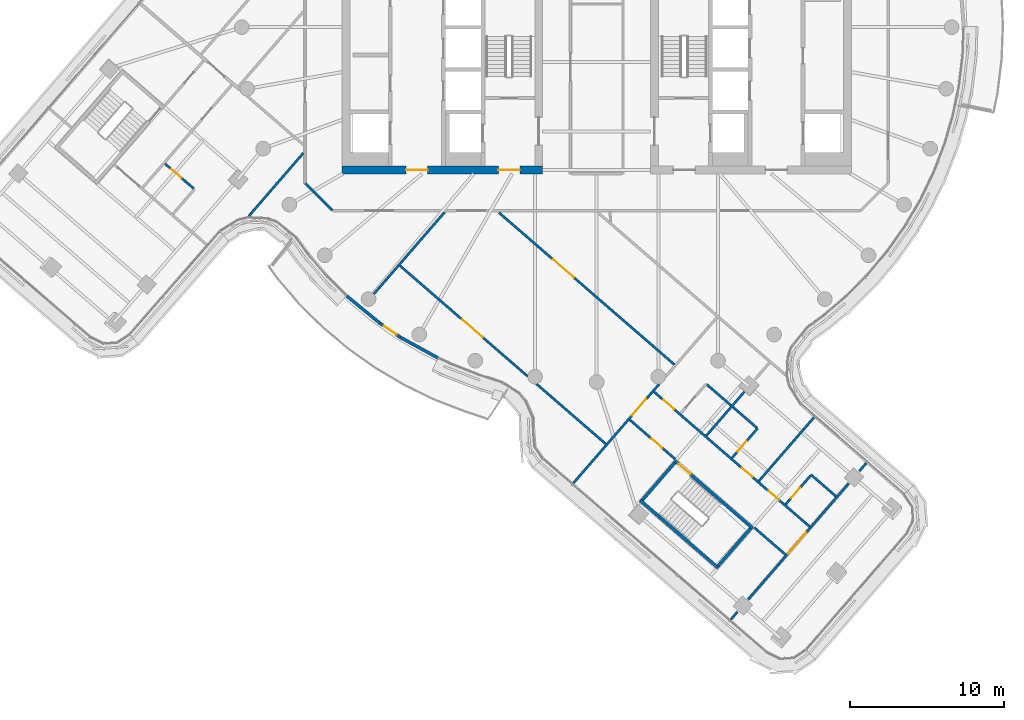
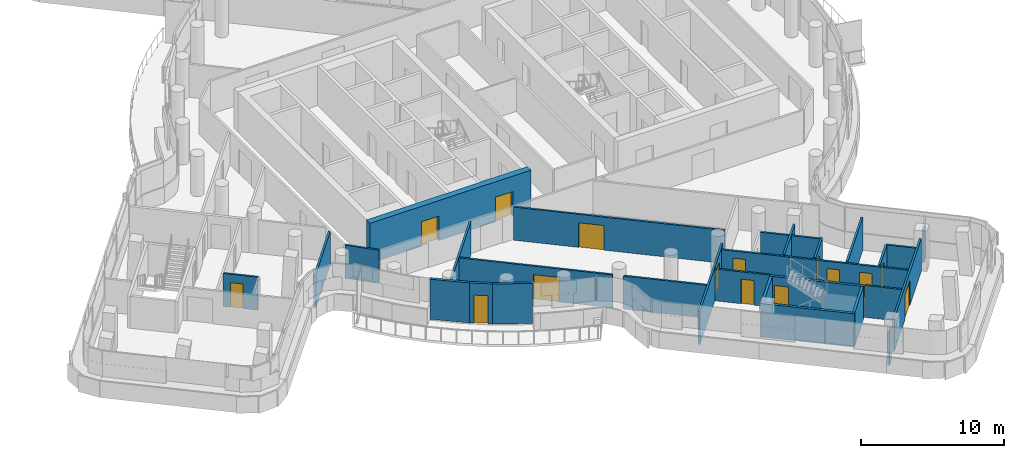
# One storey, part 19 of 32: 28 walls, 15 doors, 15 openings.
"""IFC4 building model written with IfcOpenShell, lengths in metres."""

from ifc_helpers import new_model, si_unit, direction, frame, frame_2d, origin, place, context, subcontext, project, spatial, polyline, rectangle, outline, extrude, material, layer, layer_set, type_object, element, fill, save


model = new_model("IFC4")

# Units and contexts
model_context = context("Model", 3, precision=1e-05, world=origin(), true_north=direction((0.0, 1.0)))
body_context = subcontext(model_context, "Body", "Model", "MODEL_VIEW")
ifc_project = project(units=[si_unit("LENGTHUNIT", "METRE"), si_unit("AREAUNIT", "SQUARE_METRE"), si_unit("VOLUMEUNIT", "CUBIC_METRE"), si_unit("PLANEANGLEUNIT", "RADIAN"), si_unit("MASSUNIT", "GRAM", prefix="KILO")], contexts=[model_context])

# Site, building, storey
site_placement = place(None, origin())
site = spatial("IfcSite", under=ifc_project, at=site_placement, CompositionType="ELEMENT")
building_placement = place(site_placement, origin())
building = spatial("IfcBuilding", under=site, at=building_placement, Name="Tamarind Cross Interchange Tower", CompositionType="ELEMENT")
storey_placement = place(building_placement, frame((0.0, 0.0, 211.300048828125)))
storey = spatial("IfcBuildingStorey", under=building, at=storey_placement, Name="L53", CompositionType="ELEMENT", Elevation=211.300048828125)

# Walls
ifc_material_1 = material(Name="Concrete C40", Category="concrete")
ifc_layer_1 = layer(ifc_material_1, 0.199951171875)
ifc_layer_set_1 = layer_set([ifc_layer_1], Name="Concrete C40")
wall_type_1 = type_object("IfcWallType", Name="Balcony and garden door wall", PredefinedType="SOLIDWALL", material=ifc_layer_set_1)
wall_1_placement = place(storey_placement, frame((-16.210693359375, -17.407958984375, 0.0), z_axis=(0.0, 0.0, 1.0), x_axis=(0.772584195676, -0.634912325122, 0.0)))
element("IfcWall", 1, at=wall_1_placement, inside=storey, type_object=wall_type_1, Name="EXW-L53-02-D02L", PredefinedType="SOLIDWALL", context=body_context, shape_type="SweptSolid", body=[
    extrude(rectangle(XDim=2.800048828125, YDim=0.199951171875, at=frame_2d((1.39990234375, 0.0))), origin(), (0.0, 0.0, 1.0), 3.419921875),
])
wall_2_placement = place(storey_placement, frame((-12.73095703125, -20.09375, 0.0), z_axis=(0.0, 0.0, 1.0), x_axis=(0.87680055268, -0.480854230323, 0.0)))
element("IfcWall", 2, at=wall_2_placement, inside=storey, type_object=wall_type_1, Name="EXW-L53-02-D02R", PredefinedType="SOLIDWALL", context=body_context, shape_type="SweptSolid", body=[
    extrude(rectangle(XDim=2.800537109375, YDim=0.199951171875, at=frame_2d((1.400390625, 0.0))), origin(), (0.0, 0.0, 1.0), 3.419921875),
])

# Wall, opening, door
wall_3_placement = place(storey_placement, frame((-14.04736328125, -19.185791015625, 0.0), z_axis=(0.0, 0.0, 1.0), x_axis=(0.823185720552, -0.567772198578, 0.0)))
wall_3 = element("IfcWall", 3, at=wall_3_placement, inside=storey, type_object=wall_type_1, Name="EXW-L53-02-D02", PredefinedType="SOLIDWALL", context=body_context, shape_type="SweptSolid", body=[
    extrude(rectangle(XDim=1.59912109375, YDim=0.199951171875, at=frame_2d((0.799560546875, 0.0))), origin(), (0.0, 0.0, 1.0), 3.419921875),
])
opening_1_placement = place(wall_3_placement, frame((0.299560546875, 0.0, 0.0)))
opening_1 = element("IfcOpeningElement", 4, at=opening_1_placement, cuts=wall_3, Name="Opening D2", PredefinedType="OPENING", context=body_context, shape_type="SweptSolid", body=[
    extrude(rectangle(XDim=1.0, YDim=2.39990234375, at=frame_2d((0.5, 1.199951171875))), frame((0.0, 0.10986328125, 0.0), z_axis=(0.0, -1.0, 0.0), x_axis=(1.0, 0.0, 0.0)), (0.0, 0.0, 1.0), 0.219970703125),
])
ifc_material_2 = material(Name="Aluminium and toughened glass", Category="aluminium")
door_type_1 = type_object("IfcDoorType", Name="Balcony and garden door", OperationType="SINGLE_SWING_LEFT", PredefinedType="DOOR", material=ifc_material_2)
door_1_placement = place(opening_1_placement, origin())
door_1 = element("IfcDoor", 5, at=door_1_placement, inside=storey, type_object=door_type_1, Name="DOR-L53-02-02", OperationType="SINGLE_SWING_LEFT", OverallHeight=2.39990234375, OverallWidth=1.0, PredefinedType="DOOR", context=body_context, shape_type="SweptSolid", body=[
    extrude(rectangle(XDim=1.0, YDim=2.39990234375, at=frame_2d((0.5, 1.199951171875))), frame((0.0, 0.02490234375, 0.0), z_axis=(0.0, -1.0, 0.0), x_axis=(1.0, 0.0, 0.0)), (0.0, 0.0, 1.0), 0.050048828125),
])
fill(opening_1, door_1)

# Wall, openings, doors
ifc_material_3 = material(Name="Concrete C55", Category="concrete")
ifc_layer_2 = layer(ifc_material_3, 0.5)
ifc_layer_set_2 = layer_set([ifc_layer_2], Name="Concrete C55")
wall_type_2 = type_object("IfcWallType", Name="Core wall 500 mm Concrete C55", PredefinedType="SHEAR", material=ifc_layer_set_2)
wall_4_placement = place(storey_placement, frame((-16.5, -9.25, 0.0), z_axis=(0.0, 0.0, 1.0), x_axis=(1.0, 0.0, 0.0)))
wall_4 = element("IfcWall", 6, at=wall_4_placement, inside=storey, type_object=wall_type_2, Name="Core wall CWL-L53-W-S", PredefinedType="SHEAR", context=body_context, shape_type="SweptSolid", body=[
    extrude(rectangle(XDim=13.0, YDim=0.5, at=frame_2d((6.5, 0.0))), origin(), (0.0, 0.0, 1.0), 3.419921875),
])
opening_2_placement = place(wall_4_placement, frame((4.14990234375, 0.0, 0.0)))
opening_2 = element("IfcOpeningElement", 7, at=opening_2_placement, cuts=wall_4, Name="Opening DCW1", PredefinedType="OPENING", context=body_context, shape_type="SweptSolid", body=[
    extrude(rectangle(XDim=1.39990234375, YDim=2.10009765625, at=frame_2d((0.699951171875, 1.050048828125))), frame((0.0, 0.260009765625, 0.0), z_axis=(0.0, -1.0, 0.0), x_axis=(1.0, 0.0, 0.0)), (0.0, 0.0, 1.0), 0.52001953125),
])
opening_3_placement = place(wall_4_placement, frame((10.125, 0.0, 0.0)))
opening_3 = element("IfcOpeningElement", 8, at=opening_3_placement, cuts=wall_4, Name="Opening DCWF", PredefinedType="OPENING", context=body_context, shape_type="SweptSolid", body=[
    extrude(rectangle(XDim=1.39990234375, YDim=2.10009765625, at=frame_2d((0.699951171875, 1.050048828125))), frame((0.0, 0.260009765625, 0.0), z_axis=(0.0, -1.0, 0.0), x_axis=(1.0, 0.0, 0.0)), (0.0, 0.0, 1.0), 0.52001953125),
])
ifc_material_4 = material(Name="Steel, fire-resisting", Category="steel")
door_type_2 = type_object("IfcDoorType", Name="Core fire door 1400 x 2100 FD90", OperationType="SINGLE_SWING_LEFT", PredefinedType="DOOR", material=ifc_material_4)
door_2_placement = place(opening_2_placement, origin())
door_2 = element("IfcDoor", 9, at=door_2_placement, inside=storey, type_object=door_type_2, Name="L53 lift lobby door", OperationType="SINGLE_SWING_LEFT", OverallHeight=2.10009765625, OverallWidth=1.39990234375, PredefinedType="DOOR", context=body_context, shape_type="SweptSolid", body=[
    extrude(rectangle(XDim=1.39990234375, YDim=2.10009765625, at=frame_2d((0.699951171875, 1.050048828125))), frame((0.0, 0.02490234375, 0.0), z_axis=(0.0, -1.0, 0.0), x_axis=(1.0, 0.0, 0.0)), (0.0, 0.0, 1.0), 0.050048828125),
])
fill(opening_2, door_2)
door_3_placement = place(opening_3_placement, origin())
door_3 = element("IfcDoor", 10, at=door_3_placement, inside=storey, type_object=door_type_2, Name="L53 firefighting lobby end door", OperationType="SINGLE_SWING_LEFT", OverallHeight=2.10009765625, OverallWidth=1.39990234375, PredefinedType="DOOR", context=body_context, shape_type="SweptSolid", body=[
    extrude(rectangle(XDim=1.39990234375, YDim=2.10009765625, at=frame_2d((0.699951171875, 1.050048828125))), frame((0.0, 0.02490234375, 0.0), z_axis=(0.0, -1.0, 0.0), x_axis=(1.0, 0.0, 0.0)), (0.0, 0.0, 1.0), 0.050048828125),
])
fill(opening_3, door_3)

# Wall
ifc_material_5 = material(Name="Gypsum board partition on steel studs", Category="steel")
ifc_layer_3 = layer(ifc_material_5, 0.14990234375)
ifc_layer_set_3 = layer_set([ifc_layer_3], Name="Gypsum board partition on steel studs")
wall_type_3 = type_object("IfcWallType", Name="Partition 150 mm EI 120", PredefinedType="PARTITIONING", material=ifc_layer_set_3)
wall_5_placement = place(storey_placement, frame((-18.87158203125, -10.12841796875, 0.0), z_axis=(0.0, 0.0, 1.0), x_axis=(0.707106781187, -0.707106781187, 0.0)))
element("IfcWall", 11, at=wall_5_placement, inside=storey, type_object=wall_type_3, Name="Partition L53-002", PredefinedType="PARTITIONING", context=body_context, shape_type="SweptSolid", body=[
    extrude(rectangle(XDim=2.465087890625, YDim=0.14990234375, at=frame_2d((1.232421875, 0.0))), origin(), (0.0, 0.0, 1.0), 2.823974609375),
])

# Wall, opening, door
wall_6_placement = place(storey_placement, frame((-27.971435546875, -8.850341796875, 0.0), z_axis=(0.0, 0.0, 1.0), x_axis=(0.755854736328, -0.654739350864, 0.0)))
wall_6 = element("IfcWall", 12, at=wall_6_placement, inside=storey, type_object=wall_type_3, Name="Partition L53-008", PredefinedType="PARTITIONING", context=body_context, shape_type="SweptSolid", body=[
    extrude(rectangle(XDim=2.479736328125, YDim=0.14990234375, at=frame_2d((1.23974609375, 0.0))), origin(), (0.0, 0.0, 1.0), 2.820068359375),
])
opening_4_placement = place(wall_6_placement, frame((0.52001953125, 0.0, 0.0)))
opening_4 = element("IfcOpeningElement", 13, at=opening_4_placement, cuts=wall_6, Name="Opening D03", PredefinedType="OPENING", context=body_context, shape_type="SweptSolid", body=[
    extrude(rectangle(XDim=0.89990234375, YDim=2.10009765625, at=frame_2d((0.449951171875, 1.050048828125))), frame((0.0, 0.0849609375, 0.0), z_axis=(0.0, -1.0, 0.0), x_axis=(1.0, 0.0, 0.0)), (0.0, 0.0, 1.0), 0.169921875),
])
ifc_material_6 = material(Name="Fire-resisting door set")
door_type_3 = type_object("IfcDoorType", Name="Interior door 900 x 2100 FD60S", OperationType="SINGLE_SWING_LEFT", PredefinedType="DOOR", material=ifc_material_6)
door_4_placement = place(opening_4_placement, frame((0.89990234375, 0.0, 0.0), z_axis=(0.0, 0.0, 1.0), x_axis=(-1.0, 0.0, 0.0)))
door_4 = element("IfcDoor", 14, at=door_4_placement, inside=storey, type_object=door_type_3, Name="Door D03", OperationType="SINGLE_SWING_LEFT", OverallHeight=2.10009765625, OverallWidth=0.89990234375, PredefinedType="DOOR", context=body_context, shape_type="SweptSolid", body=[
    extrude(rectangle(XDim=0.89990234375, YDim=2.10009765625, at=frame_2d((0.449951171875, 1.050048828125))), frame((0.0, 0.02490234375, 0.0), z_axis=(0.0, -1.0, 0.0), x_axis=(1.0, 0.0, 0.0)), (0.0, 0.0, 1.0), 0.050048828125),
])
fill(opening_4, door_4)

wall_7_placement = place(storey_placement, frame((-12.74853515625, -15.45751953125, 0.0), z_axis=(0.0, 0.0, 1.0), x_axis=(0.755941384567, -0.654639307634, 0.0)))
wall_7 = element("IfcWall", 15, at=wall_7_placement, inside=storey, type_object=wall_type_3, Name="Partition L53-010", PredefinedType="PARTITIONING", context=body_context, shape_type="SweptSolid", body=[
    extrude(rectangle(XDim=10.94873046875, YDim=0.14990234375, at=frame_2d((5.474365234375, 0.0))), origin(), (0.0, 0.0, 1.0), 2.823974609375),
])
opening_5_placement = place(wall_7_placement, frame((5.320068359375, 0.0, 0.0)))
opening_5 = element("IfcOpeningElement", 16, at=opening_5_placement, cuts=wall_7, Name="Opening D04", PredefinedType="OPENING", context=body_context, shape_type="SweptSolid", body=[
    extrude(rectangle(XDim=1.800048828125, YDim=2.10009765625, at=frame_2d((0.89990234375, 1.050048828125))), frame((0.0, 0.0849609375, 0.0), z_axis=(0.0, -1.0, 0.0), x_axis=(1.0, 0.0, 0.0)), (0.0, 0.0, 1.0), 0.169921875),
])
door_type_4 = type_object("IfcDoorType", Name="Interior door 1800 x 2100 FD60S", OperationType="DOUBLE_DOOR_SINGLE_SWING", PredefinedType="DOOR", material=ifc_material_6)
door_5_placement = place(opening_5_placement, frame((1.800048828125, 0.0, 0.0), z_axis=(0.0, 0.0, 1.0), x_axis=(-1.0, 0.0, 0.0)))
door_5 = element("IfcDoor", 17, at=door_5_placement, inside=storey, type_object=door_type_4, Name="Door D04", OperationType="DOUBLE_DOOR_SINGLE_SWING", OverallHeight=2.10009765625, OverallWidth=1.800048828125, PredefinedType="DOOR", context=body_context, shape_type="SweptSolid", body=[
    extrude(rectangle(XDim=1.800048828125, YDim=2.10009765625, at=frame_2d((0.89990234375, 1.050048828125))), frame((0.0, 0.02490234375, 0.0), z_axis=(0.0, -1.0, 0.0), x_axis=(1.0, 0.0, 0.0)), (0.0, 0.0, 1.0), 0.050048828125),
])
fill(opening_5, door_5)

# Wall
wall_8_placement = place(storey_placement, frame((-3.90869140625, -23.11279296875, 0.0), z_axis=(0.0, 0.0, 1.0), x_axis=(0.755934223214, -0.654647577078, 0.0)))
element("IfcWall", 18, at=wall_8_placement, inside=storey, type_object=wall_type_3, Name="Partition L53-011", PredefinedType="PARTITIONING", context=body_context, shape_type="SweptSolid", body=[
    extrude(rectangle(XDim=5.946533203125, YDim=0.14990234375, at=frame_2d((2.97314453125, 0.0))), origin(), (0.0, 0.0, 1.0), 2.823974609375),
])

# Wall, opening, door
wall_9_placement = place(storey_placement, frame((-6.336669921875, -12.0146484375, 0.0), z_axis=(0.0, 0.0, 1.0), x_axis=(0.755914954944, -0.654669825861, 0.0)))
wall_9 = element("IfcWall", 19, at=wall_9_placement, inside=storey, type_object=wall_type_3, Name="Partition L53-017", PredefinedType="PARTITIONING", context=body_context, shape_type="SweptSolid", body=[
    extrude(rectangle(XDim=15.047119140625, YDim=0.14990234375, at=frame_2d((7.5234375, 0.0))), origin(), (0.0, 0.0, 1.0), 2.823974609375),
])
opening_6_placement = place(wall_9_placement, frame((4.625, 0.0, 0.0)))
opening_6 = element("IfcOpeningElement", 20, at=opening_6_placement, cuts=wall_9, Name="Opening D09", PredefinedType="OPENING", context=body_context, shape_type="SweptSolid", body=[
    extrude(rectangle(XDim=1.800048828125, YDim=2.10009765625, at=frame_2d((0.89990234375, 1.050048828125))), frame((0.0, 0.0849609375, 0.0), z_axis=(0.0, -1.0, 0.0), x_axis=(1.0, 0.0, 0.0)), (0.0, 0.0, 1.0), 0.169921875),
])
door_6_placement = place(opening_6_placement, origin())
door_6 = element("IfcDoor", 21, at=door_6_placement, inside=storey, type_object=door_type_4, Name="Door D09", OperationType="DOUBLE_DOOR_SINGLE_SWING", OverallHeight=2.10009765625, OverallWidth=1.800048828125, PredefinedType="DOOR", context=body_context, shape_type="SweptSolid", body=[
    extrude(rectangle(XDim=1.800048828125, YDim=2.10009765625, at=frame_2d((0.89990234375, 1.050048828125))), frame((0.0, 0.02490234375, 0.0), z_axis=(0.0, -1.0, 0.0), x_axis=(1.0, 0.0, 0.0)), (0.0, 0.0, 1.0), 0.050048828125),
])
fill(opening_6, door_6)

wall_10_placement = place(storey_placement, frame((2.1474609375, -25.447509765625, 0.0), z_axis=(0.0, 0.0, 1.0), x_axis=(0.756054321619, -0.654508871415, 0.0)))
wall_10 = element("IfcWall", 22, at=wall_10_placement, inside=storey, type_object=wall_type_3, Name="Partition L53-023", PredefinedType="PARTITIONING", context=body_context, shape_type="SweptSolid", body=[
    extrude(rectangle(XDim=3.88037109375, YDim=0.14990234375, at=frame_2d((1.940185546875, 0.0))), origin(), (0.0, 0.0, 1.0), 2.719970703125),
])
opening_7_placement = place(wall_10_placement, frame((1.8701171875, 0.0, 0.0)))
opening_7 = element("IfcOpeningElement", 23, at=opening_7_placement, cuts=wall_10, Name="Opening D15", PredefinedType="OPENING", context=body_context, shape_type="SweptSolid", body=[
    extrude(rectangle(XDim=0.89990234375, YDim=2.10009765625, at=frame_2d((0.449951171875, 1.050048828125))), frame((0.0, 0.0849609375, 0.0), z_axis=(0.0, -1.0, 0.0), x_axis=(1.0, 0.0, 0.0)), (0.0, 0.0, 1.0), 0.169921875),
])
door_7_placement = place(opening_7_placement, frame((0.89990234375, 0.0, 0.0), z_axis=(0.0, 0.0, 1.0), x_axis=(-1.0, 0.0, 0.0)))
door_7 = element("IfcDoor", 24, at=door_7_placement, inside=storey, type_object=door_type_3, Name="Door D15", OperationType="SINGLE_SWING_RIGHT", OverallHeight=2.10009765625, OverallWidth=0.89990234375, PredefinedType="DOOR", context=body_context, shape_type="SweptSolid", body=[
    extrude(rectangle(XDim=0.89990234375, YDim=2.10009765625, at=frame_2d((0.449951171875, 1.050048828125))), frame((0.0, 0.02490234375, 0.0), z_axis=(0.0, -1.0, 0.0), x_axis=(1.0, 0.0, 0.0)), (0.0, 0.0, 1.0), 0.050048828125),
])
fill(opening_7, door_7)

# Wall
wall_11_placement = place(storey_placement, frame((10.206298828125, -32.4248046875, 0.0), z_axis=(0.0, 0.0, 1.0), x_axis=(0.756019580363, -0.65454900054, 0.0)))
element("IfcWall", 25, at=wall_11_placement, inside=storey, type_object=wall_type_3, Name="Partition L53-024", PredefinedType="PARTITIONING", context=body_context, shape_type="SweptSolid", body=[
    extrude(rectangle(XDim=2.680419921875, YDim=0.14990234375, at=frame_2d((1.34033203125, 0.0))), origin(), (0.0, 0.0, 1.0), 2.719970703125),
])

# Wall, openings, doors
wall_12_placement = place(storey_placement, frame((3.718505859375, -23.63330078125, 0.0), z_axis=(0.0, 0.0, 1.0), x_axis=(0.755913669582, -0.654671310001, 0.0)))
wall_12 = element("IfcWall", 26, at=wall_12_placement, inside=storey, type_object=wall_type_3, Name="Partition L53-025", PredefinedType="PARTITIONING", context=body_context, shape_type="SweptSolid", body=[
    extrude(rectangle(XDim=13.340087890625, YDim=0.14990234375, at=frame_2d((6.669921875, 0.0))), origin(), (0.0, 0.0, 1.0), 2.719970703125),
])
opening_8_placement = place(wall_12_placement, frame((0.820068359375, 0.0, 0.0)))
opening_8 = element("IfcOpeningElement", 27, at=opening_8_placement, cuts=wall_12, Name="Opening D16", PredefinedType="OPENING", context=body_context, shape_type="SweptSolid", body=[
    extrude(rectangle(XDim=0.89990234375, YDim=2.10009765625, at=frame_2d((0.449951171875, 1.050048828125))), frame((0.0, 0.0849609375, 0.0), z_axis=(0.0, -1.0, 0.0), x_axis=(1.0, 0.0, 0.0)), (0.0, 0.0, 1.0), 0.169921875),
])
opening_9_placement = place(wall_12_placement, frame((7.52001953125, 0.0, 0.0)))
opening_9 = element("IfcOpeningElement", 28, at=opening_9_placement, cuts=wall_12, Name="Opening D17", PredefinedType="OPENING", context=body_context, shape_type="SweptSolid", body=[
    extrude(rectangle(XDim=0.89990234375, YDim=2.10009765625, at=frame_2d((0.449951171875, 1.050048828125))), frame((0.0, 0.0849609375, 0.0), z_axis=(0.0, -1.0, 0.0), x_axis=(1.0, 0.0, 0.0)), (0.0, 0.0, 1.0), 0.169921875),
])
opening_10_placement = place(wall_12_placement, frame((9.81982421875, 0.0, 0.0)))
opening_10 = element("IfcOpeningElement", 29, at=opening_10_placement, cuts=wall_12, Name="Opening D18", PredefinedType="OPENING", context=body_context, shape_type="SweptSolid", body=[
    extrude(rectangle(XDim=0.89990234375, YDim=2.10009765625, at=frame_2d((0.449951171875, 1.050048828125))), frame((0.0, 0.0849609375, 0.0), z_axis=(0.0, -1.0, 0.0), x_axis=(1.0, 0.0, 0.0)), (0.0, 0.0, 1.0), 0.169921875),
])
door_8_placement = place(opening_8_placement, origin())
door_8 = element("IfcDoor", 30, at=door_8_placement, inside=storey, type_object=door_type_3, Name="Door D16", OperationType="SINGLE_SWING_RIGHT", OverallHeight=2.10009765625, OverallWidth=0.89990234375, PredefinedType="DOOR", context=body_context, shape_type="SweptSolid", body=[
    extrude(rectangle(XDim=0.89990234375, YDim=2.10009765625, at=frame_2d((0.449951171875, 1.050048828125))), frame((0.0, 0.02490234375, 0.0), z_axis=(0.0, -1.0, 0.0), x_axis=(1.0, 0.0, 0.0)), (0.0, 0.0, 1.0), 0.050048828125),
])
fill(opening_8, door_8)
door_9_placement = place(opening_9_placement, origin())
door_9 = element("IfcDoor", 31, at=door_9_placement, inside=storey, type_object=door_type_3, Name="Door D17", OperationType="SINGLE_SWING_LEFT", OverallHeight=2.10009765625, OverallWidth=0.89990234375, PredefinedType="DOOR", context=body_context, shape_type="SweptSolid", body=[
    extrude(rectangle(XDim=0.89990234375, YDim=2.10009765625, at=frame_2d((0.449951171875, 1.050048828125))), frame((0.0, 0.02490234375, 0.0), z_axis=(0.0, -1.0, 0.0), x_axis=(1.0, 0.0, 0.0)), (0.0, 0.0, 1.0), 0.050048828125),
])
fill(opening_9, door_9)
door_10_placement = place(opening_10_placement, origin())
door_10 = element("IfcDoor", 32, at=door_10_placement, inside=storey, type_object=door_type_3, Name="Door D18", OperationType="SINGLE_SWING_LEFT", OverallHeight=2.10009765625, OverallWidth=0.89990234375, PredefinedType="DOOR", context=body_context, shape_type="SweptSolid", body=[
    extrude(rectangle(XDim=0.89990234375, YDim=2.10009765625, at=frame_2d((0.449951171875, 1.050048828125))), frame((0.0, 0.02490234375, 0.0), z_axis=(0.0, -1.0, 0.0), x_axis=(1.0, 0.0, 0.0)), (0.0, 0.0, 1.0), 0.050048828125),
])
fill(opening_10, door_10)

# Walls
wall_13_placement = place(storey_placement, frame((7.129150390625, -23.147216796875, 0.0), z_axis=(0.0, 0.0, 1.0), x_axis=(0.756004108668, -0.654566870287, 0.0)))
element("IfcWall", 33, at=wall_13_placement, inside=storey, type_object=wall_type_3, Name="Partition L53-026", PredefinedType="PARTITIONING", context=body_context, shape_type="SweptSolid", body=[
    extrude(rectangle(XDim=4.3203125, YDim=0.14990234375, at=frame_2d((2.16015625, 0.0))), origin(), (0.0, 0.0, 1.0), 2.719970703125),
])
wall_14_placement = place(storey_placement, frame((13.902587890625, -29.01220703125, 0.0), z_axis=(0.0, 0.0, 1.0), x_axis=(0.755962613877, -0.654614792394, 0.0)))
element("IfcWall", 34, at=wall_14_placement, inside=storey, type_object=wall_type_3, Name="Partition L53-027", PredefinedType="PARTITIONING", context=body_context, shape_type="SweptSolid", body=[
    extrude(rectangle(XDim=2.119873046875, YDim=0.14990234375, at=frame_2d((1.06005859375, 0.0))), origin(), (0.0, 0.0, 1.0), 2.823974609375),
])
wall_15_placement = place(storey_placement, frame((-22.54736328125, -12.2412109375, 0.0), z_axis=(0.0, 0.0, 1.0), x_axis=(0.654687631303, 0.755899533945, 0.0)))
element("IfcWall", 35, at=wall_15_placement, inside=storey, type_object=wall_type_3, Name="Partition L53-041", PredefinedType="PARTITIONING", context=body_context, shape_type="SweptSolid", body=[
    extrude(rectangle(XDim=5.39599609375, YDim=0.14990234375, at=frame_2d((2.697998046875, 0.0))), origin(), (0.0, 0.0, 1.0), 2.823974609375),
])
wall_16_placement = place(storey_placement, frame((-14.445556640625, -17.294921875, 0.0), z_axis=(0.0, 0.0, 1.0), x_axis=(0.654627623615, 0.755951502678, 0.0)))
element("IfcWall", 36, at=wall_16_placement, inside=storey, type_object=wall_type_3, Name="Partition L53-042", PredefinedType="PARTITIONING", context=body_context, shape_type="SweptSolid", body=[
    extrude(rectangle(XDim=6.997314453125, YDim=0.14990234375, at=frame_2d((3.49853515625, 0.0))), origin(), (0.0, 0.0, 1.0), 2.823974609375),
])

# Wall, opening, door
wall_17_placement = place(storey_placement, frame((-1.513427734375, -29.551513671875, 0.0), z_axis=(0.0, 0.0, 1.0), x_axis=(0.65472740131, 0.755865087151, 0.0)))
wall_17 = element("IfcWall", 37, at=wall_17_placement, inside=storey, type_object=wall_type_3, Name="Partition L53-054", PredefinedType="PARTITIONING", context=body_context, shape_type="SweptSolid", body=[
    extrude(rectangle(XDim=8.511474609375, YDim=0.14990234375, at=frame_2d((4.255859375, 0.0))), origin(), (0.0, 0.0, 1.0), 2.820068359375),
])
opening_11_placement = place(wall_17_placement, frame((5.799072265625, 0.0, 0.0)))
opening_11 = element("IfcOpeningElement", 38, at=opening_11_placement, cuts=wall_17, Name="Opening D33", PredefinedType="OPENING", context=body_context, shape_type="SweptSolid", body=[
    extrude(rectangle(XDim=1.39990234375, YDim=2.10009765625, at=frame_2d((0.699951171875, 1.050048828125))), frame((0.0, 0.0849609375, 0.0), z_axis=(0.0, -1.0, 0.0), x_axis=(1.0, 0.0, 0.0)), (0.0, 0.0, 1.0), 0.169921875),
])
door_type_5 = type_object("IfcDoorType", Name="Interior door 1400 x 2100 FD60S", OperationType="DOUBLE_DOOR_SINGLE_SWING", PredefinedType="DOOR", material=ifc_material_6)
door_11_placement = place(opening_11_placement, origin())
door_11 = element("IfcDoor", 39, at=door_11_placement, inside=storey, type_object=door_type_5, Name="Door D33", OperationType="DOUBLE_DOOR_SINGLE_SWING", OverallHeight=2.10009765625, OverallWidth=1.39990234375, PredefinedType="DOOR", context=body_context, shape_type="SweptSolid", body=[
    extrude(rectangle(XDim=1.39990234375, YDim=2.10009765625, at=frame_2d((0.699951171875, 1.050048828125))), frame((0.0, 0.02490234375, 0.0), z_axis=(0.0, -1.0, 0.0), x_axis=(1.0, 0.0, 0.0)), (0.0, 0.0, 1.0), 0.050048828125),
])
fill(opening_11, door_11)

# Walls
wall_18_placement = place(storey_placement, frame((7.1123046875, -26.466552734375, 0.0), z_axis=(0.0, 0.0, 1.0), x_axis=(0.654527416429, 0.756038266983, 0.0)))
element("IfcWall", 40, at=wall_18_placement, inside=storey, type_object=wall_type_3, Name="Partition L53-057", PredefinedType="PARTITIONING", context=body_context, shape_type="SweptSolid", body=[
    extrude(rectangle(XDim=3.759033203125, YDim=0.14990234375, at=frame_2d((1.87939453125, 0.0))), origin(), (0.0, 0.0, 1.0), 2.820068359375),
])
wall_19_placement = place(storey_placement, frame((8.69140625, -38.389404296875, 0.0), z_axis=(0.0, 0.0, 1.0), x_axis=(0.654735233642, 0.755858302744, 0.0)))
element("IfcWall", 41, at=wall_19_placement, inside=storey, type_object=wall_type_3, Name="Partition L53-059", PredefinedType="PARTITIONING", context=body_context, shape_type="SweptSolid", body=[
    extrude(rectangle(XDim=0.666259765625, YDim=0.14990234375, at=frame_2d((0.3330078125, 0.0))), origin(), (0.0, 0.0, 1.0), 2.823974609375),
])

# Wall, opening, door
wall_20_placement = place(storey_placement, frame((9.8251953125, -37.08056640625, 0.0), z_axis=(0.0, 0.0, 1.0), x_axis=(0.654682577685, 0.755903910874, 0.0)))
wall_20 = element("IfcWall", 42, at=wall_20_placement, inside=storey, type_object=wall_type_3, Name="Partition L53-060", PredefinedType="PARTITIONING", context=body_context, shape_type="SweptSolid", body=[
    extrude(rectangle(XDim=9.934814453125, YDim=0.14990234375, at=frame_2d((4.96728515625, 0.0))), origin(), (0.0, 0.0, 1.0), 2.823974609375),
])
opening_12_placement = place(wall_20_placement, frame((3.91748046875, 0.0, 0.0)))
opening_12 = element("IfcOpeningElement", 43, at=opening_12_placement, cuts=wall_20, Name="Opening D35", PredefinedType="OPENING", context=body_context, shape_type="SweptSolid", body=[
    extrude(rectangle(XDim=1.800048828125, YDim=2.10009765625, at=frame_2d((0.89990234375, 1.050048828125))), frame((0.0, 0.0849609375, 0.0), z_axis=(0.0, -1.0, 0.0), x_axis=(1.0, 0.0, 0.0)), (0.0, 0.0, 1.0), 0.169921875),
])
door_12_placement = place(opening_12_placement, frame((1.800048828125, 0.0, 0.0), z_axis=(0.0, 0.0, 1.0), x_axis=(-1.0, 0.0, 0.0)))
door_12 = element("IfcDoor", 44, at=door_12_placement, inside=storey, type_object=door_type_4, Name="Door D35", OperationType="DOUBLE_DOOR_SINGLE_SWING", OverallHeight=2.10009765625, OverallWidth=1.800048828125, PredefinedType="DOOR", context=body_context, shape_type="SweptSolid", body=[
    extrude(rectangle(XDim=1.800048828125, YDim=2.10009765625, at=frame_2d((0.89990234375, 1.050048828125))), frame((0.0, 0.02490234375, 0.0), z_axis=(0.0, -1.0, 0.0), x_axis=(1.0, 0.0, 0.0)), (0.0, 0.0, 1.0), 0.050048828125),
])
fill(opening_12, door_12)

# Wall
wall_21_placement = place(storey_placement, frame((17.026611328125, -28.765380859375, 0.0), z_axis=(0.0, 0.0, 1.0), x_axis=(0.654671725724, 0.755913309538, 0.0)))
element("IfcWall", 45, at=wall_21_placement, inside=storey, type_object=wall_type_3, Name="Partition L53-061", PredefinedType="PARTITIONING", context=body_context, shape_type="SweptSolid", body=[
    extrude(rectangle(XDim=0.682373046875, YDim=0.14990234375, at=frame_2d((0.34130859375, 0.0))), origin(), (0.0, 0.0, 1.0), 2.823974609375),
])

# Wall, opening, door
wall_22_placement = place(storey_placement, frame((8.775390625, -27.906494140625, 0.0), z_axis=(0.0, 0.0, 1.0), x_axis=(0.65471655717, 0.755874480167, 0.0)))
wall_22 = element("IfcWall", 46, at=wall_22_placement, inside=storey, type_object=wall_type_3, Name="Partition L53-062", PredefinedType="PARTITIONING", context=body_context, shape_type="SweptSolid", body=[
    extrude(rectangle(XDim=2.51953125, YDim=0.14990234375, at=frame_2d((1.259765625, 0.0))), origin(), (0.0, 0.0, 1.0), 2.820068359375),
])
opening_13_placement = place(wall_22_placement, frame((0.52001953125, 0.0, 0.0)))
opening_13 = element("IfcOpeningElement", 47, at=opening_13_placement, cuts=wall_22, Name="Opening D36", PredefinedType="OPENING", context=body_context, shape_type="SweptSolid", body=[
    extrude(rectangle(XDim=0.89990234375, YDim=2.10009765625, at=frame_2d((0.449951171875, 1.050048828125))), frame((0.0, 0.0849609375, 0.0), z_axis=(0.0, -1.0, 0.0), x_axis=(1.0, 0.0, 0.0)), (0.0, 0.0, 1.0), 0.169921875),
])
door_13_placement = place(opening_13_placement, origin())
door_13 = element("IfcDoor", 48, at=door_13_placement, inside=storey, type_object=door_type_3, Name="Door D36", OperationType="SINGLE_SWING_RIGHT", OverallHeight=2.10009765625, OverallWidth=0.89990234375, PredefinedType="DOOR", context=body_context, shape_type="SweptSolid", body=[
    extrude(rectangle(XDim=0.89990234375, YDim=2.10009765625, at=frame_2d((0.449951171875, 1.050048828125))), frame((0.0, 0.02490234375, 0.0), z_axis=(0.0, -1.0, 0.0), x_axis=(1.0, 0.0, 0.0)), (0.0, 0.0, 1.0), 0.050048828125),
])
fill(opening_13, door_13)

# Wall
wall_23_placement = place(storey_placement, frame((10.513427734375, -29.41259765625, 0.0), z_axis=(0.0, 0.0, 1.0), x_axis=(0.654635898276, 0.75594433703, 0.0)))
element("IfcWall", 49, at=wall_23_placement, inside=storey, type_object=wall_type_3, Name="Partition L53-065", PredefinedType="PARTITIONING", context=body_context, shape_type="SweptSolid", body=[
    extrude(rectangle(XDim=5.458251953125, YDim=0.14990234375, at=frame_2d((2.72900390625, 0.0))), origin(), (0.0, 0.0, 1.0), 2.820068359375),
])

# Wall, opening, door
wall_24_placement = place(storey_placement, frame((12.25244140625, -30.91748046875, 0.0), z_axis=(0.0, 0.0, 1.0), x_axis=(0.654699960755, 0.755888855182, 0.0)))
wall_24 = element("IfcWall", 50, at=wall_24_placement, inside=storey, type_object=wall_type_3, Name="Partition L53-066", PredefinedType="PARTITIONING", context=body_context, shape_type="SweptSolid", body=[
    extrude(rectangle(XDim=2.49951171875, YDim=0.14990234375, at=frame_2d((1.249755859375, 0.0))), origin(), (0.0, 0.0, 1.0), 2.823974609375),
])
opening_14_placement = place(wall_24_placement, frame((0.52001953125, 0.0, 0.0)))
opening_14 = element("IfcOpeningElement", 51, at=opening_14_placement, cuts=wall_24, Name="Opening D37", PredefinedType="OPENING", context=body_context, shape_type="SweptSolid", body=[
    extrude(rectangle(XDim=0.89990234375, YDim=2.10009765625, at=frame_2d((0.449951171875, 1.050048828125))), frame((0.0, 0.0849609375, 0.0), z_axis=(0.0, -1.0, 0.0), x_axis=(1.0, 0.0, 0.0)), (0.0, 0.0, 1.0), 0.169921875),
])
door_14_placement = place(opening_14_placement, frame((0.89990234375, 0.0, 0.0), z_axis=(0.0, 0.0, 1.0), x_axis=(-1.0, 0.0, 0.0)))
door_14 = element("IfcDoor", 52, at=door_14_placement, inside=storey, type_object=door_type_3, Name="Door D37", OperationType="SINGLE_SWING_LEFT", OverallHeight=2.10009765625, OverallWidth=0.89990234375, PredefinedType="DOOR", context=body_context, shape_type="SweptSolid", body=[
    extrude(rectangle(XDim=0.89990234375, YDim=2.10009765625, at=frame_2d((0.449951171875, 1.050048828125))), frame((0.0, 0.02490234375, 0.0), z_axis=(0.0, -1.0, 0.0), x_axis=(1.0, 0.0, 0.0)), (0.0, 0.0, 1.0), 0.050048828125),
])
fill(opening_14, door_14)

ifc_layer_4 = layer(ifc_material_1, 0.199951171875)
ifc_layer_set_4 = layer_set([ifc_layer_4], Name="Concrete C40")
wall_type_4 = type_object("IfcWallType", Name="Stair shaft wall 200 mm Concrete C40", PredefinedType="SHEAR", material=ifc_layer_set_4)
wall_25_placement = place(storey_placement, frame((5.045166015625, -28.089111328125, -0.14013671875), z_axis=(0.0, 0.0, 1.0), x_axis=(0.755907864572, -0.654678012674, 0.0)))
wall_25 = element("IfcWall", 53, at=wall_25_placement, inside=storey, type_object=wall_type_4, Name="Core wall CWL-L53-ST6-H", PredefinedType="SHEAR", context=body_context, shape_type="SweptSolid", body=[
    extrude(rectangle(XDim=6.69970703125, YDim=0.199951171875, at=frame_2d((3.349853515625, 0.0))), origin(), (0.0, 0.0, 1.0), 2.860107421875),
])
opening_15_placement = place(wall_25_placement, frame((0.35009765625, 0.0, 0.0)))
opening_15 = element("IfcOpeningElement", 54, at=opening_15_placement, cuts=wall_25, Name="Opening ST6L53", PredefinedType="OPENING", context=body_context, shape_type="SweptSolid", body=[
    extrude(rectangle(XDim=1.0, YDim=2.10009765625, at=frame_2d((0.5, 1.050048828125))), frame((0.0, 0.10986328125, 0.0), z_axis=(0.0, -1.0, 0.0), x_axis=(1.0, 0.0, 0.0)), (0.0, 0.0, 1.0), 0.219970703125),
])
door_type_6 = type_object("IfcDoorType", Name="Core fire door 1000 x 2100 FD90", OperationType="SINGLE_SWING_LEFT", PredefinedType="DOOR", material=ifc_material_4)
door_15_placement = place(opening_15_placement, origin())
door_15 = element("IfcDoor", 55, at=door_15_placement, inside=storey, type_object=door_type_6, Name="L53 stair door ST6", OperationType="SINGLE_SWING_LEFT", OverallHeight=2.10009765625, OverallWidth=1.0, PredefinedType="DOOR", context=body_context, shape_type="SweptSolid", body=[
    extrude(rectangle(XDim=1.0, YDim=2.10009765625, at=frame_2d((0.5, 1.050048828125))), frame((0.0, 0.02490234375, 0.0), z_axis=(0.0, -1.0, 0.0), x_axis=(1.0, 0.0, 0.0)), (0.0, 0.0, 1.0), 0.050048828125),
])
fill(opening_15, door_15)

# Walls
wall_26_placement = place(storey_placement, frame((2.819091796875, -30.6591796875, -0.14013671875), z_axis=(0.0, 0.0, 1.0), x_axis=(0.755923482159, -0.654659979777, 0.0)))
element("IfcWall", 56, at=wall_26_placement, inside=storey, type_object=wall_type_4, Name="Core wall CWL-L53-ST6-C", PredefinedType="SHEAR", context=body_context, shape_type="SweptSolid", body=[
    extrude(rectangle(XDim=6.699951171875, YDim=0.199951171875, at=frame_2d((3.35009765625, 0.0))), origin(), (0.0, 0.0, 1.0), 2.860107421875),
])
wall_27_placement = place(storey_placement, frame((2.960205078125, -30.649169921875, -0.14013671875), z_axis=(0.0, 0.0, 1.0), x_axis=(0.654671993933, 0.755913077251, 0.0)))
element("IfcWall", 57, at=wall_27_placement, inside=storey, type_object=wall_type_4, Name="Core wall CWL-L53-ST6-CE", PredefinedType="SHEAR", context=body_context, shape_type="SweptSolid", body=[
    extrude(rectangle(XDim=3.199951171875, YDim=0.199951171875, at=frame_2d((1.60009765625, 0.0))), origin(), (0.0, 0.0, 1.0), 2.860107421875),
])
wall_28_placement = place(storey_placement, frame((0.0, 0.0, -0.14013671875)))
element("IfcWall", 58, at=wall_28_placement, inside=storey, type_object=wall_type_4, Name="Core wall CWL-L53-ST6-CF", PredefinedType="SHEAR", context=body_context, shape_type="SweptSolid", body=[
    extrude(outline(polyline([(7.798095703125, -34.839111328125), (7.94921875, -34.969970703125), (10.044189453125, -32.551025390625), (9.89306640625, -32.419921875), (7.798095703125, -34.839111328125)])), origin(), (0.0, 0.0, 1.0), 2.860107421875),
])

save(model, "model.ifc")
